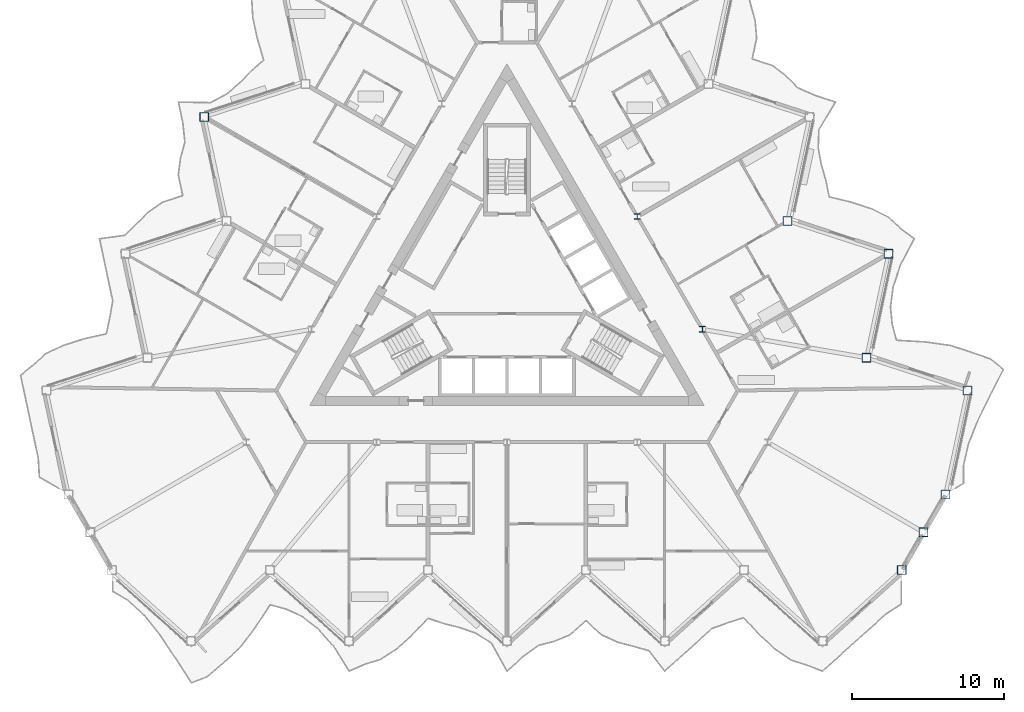
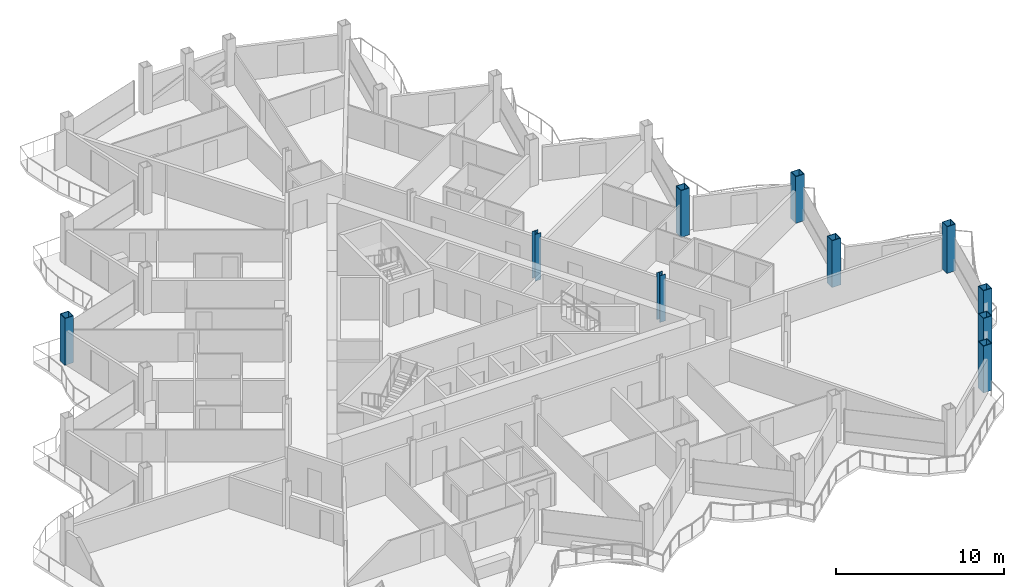
# One storey, part 2 of 26: 10 columns.
"""IFC4 building model written with IfcOpenShell, lengths in metres."""

import ifcopenshell
import ifcopenshell.guid

model = None  # the IFC model being written
_history = None  # IfcOwnerHistory: only IFC2X3 demands one
_inside = {}  # id of a spatial element -> (the spatial element, [elements in it])
_under = {}  # id of a project, library or spatial element -> (it, [spatial elements below it])
_declared = {}  # id of a project -> (the project, [libraries it declares])
_typed = {}  # id of a type object -> (the type object, [elements of that type])
_made_of = {}  # id of a material, layer set ... -> (it, [elements and type objects made of it])


def new_model(schema):
    """Start an empty IFC model of exactly this schema.

    Asked for "IFC4X3", IfcOpenShell would pick the latest addendum, in which some entities
    have other attributes; the version numbers below select the first issue.
    IFC2X3 requires an IfcOwnerHistory on every rooted entity: one is made here for all.
    """
    global model, _history
    if schema == "IFC4X3":
        model = ifcopenshell.file(schema_version=(4, 3, 0, 0))
    else:
        model = ifcopenshell.file(schema=schema)
    _inside.clear()
    _under.clear()
    _declared.clear()
    _typed.clear()
    _made_of.clear()
    _history = None
    if model.schema == "IFC2X3":
        org = make("IfcOrganization", Name="unknown")
        user = make(
            "IfcPersonAndOrganization",
            ThePerson=make("IfcPerson", FamilyName="unknown"),
            TheOrganization=org,
        )
        app = make(
            "IfcApplication",
            ApplicationDeveloper=org,
            Version="unknown",
            ApplicationFullName="unknown",
            ApplicationIdentifier="unknown",
        )
        _history = make(
            "IfcOwnerHistory",
            OwningUser=user,
            OwningApplication=app,
            ChangeAction="ADDED",
            CreationDate=0,
        )
    return model


def make(cls, **values):
    """One entity of the class cls with the attributes given. An attribute that is None is left unset."""
    return model.create_entity(
        cls, **{name: value for name, value in values.items() if value is not None}
    )


def rooted(cls, **values):
    """An entity with a GlobalId (a new one), such as an element, a storey or a relation."""
    return make(cls, GlobalId=ifcopenshell.guid.new(), OwnerHistory=_history, **values)


def si_unit(unit_type, name, prefix=None):
    """IfcSIUnit, for example si_unit("LENGTHUNIT", "METRE", prefix="MILLI")."""
    return make("IfcSIUnit", UnitType=unit_type, Prefix=prefix, Name=name)


def assignment(units):
    """IfcUnitAssignment: the units of a project."""
    return None if units is None else make("IfcUnitAssignment", Units=units)


def point(xyz):
    """IfcCartesianPoint."""
    return None if xyz is None else make("IfcCartesianPoint", Coordinates=xyz)


def direction(xyz):
    """IfcDirection."""
    return None if xyz is None else make("IfcDirection", DirectionRatios=xyz)


def frame(location, z_axis=None, x_axis=None):
    """IfcAxis2Placement3D, a coordinate frame: its origin and axes. An axis left out is left unset."""
    return make(
        "IfcAxis2Placement3D",
        Location=point(location),
        Axis=direction(z_axis),
        RefDirection=direction(x_axis),
    )


def frame_2d(location, x_axis=None):
    """IfcAxis2Placement2D, a coordinate frame in the plane: its origin and x axis."""
    return make(
        "IfcAxis2Placement2D", Location=point(location), RefDirection=direction(x_axis)
    )


def origin():
    """The frame at (0, 0, 0) with its axes left unset."""
    return frame((0.0, 0.0, 0.0))


def origin_2d():
    """The frame at (0, 0) in the plane with its x axis left unset."""
    return frame_2d((0.0, 0.0))


def place(relative_to, where):
    """IfcLocalPlacement: puts the frame where relative to a parent placement (None: the world)."""
    return make(
        "IfcLocalPlacement", PlacementRelTo=relative_to, RelativePlacement=where
    )


def context(
    kind, dimensions, precision=None, world=None, true_north=None, identifier=None
):
    """IfcGeometricRepresentationContext, for example the 3D "Model" context."""
    return make(
        "IfcGeometricRepresentationContext",
        ContextIdentifier=identifier,
        ContextType=kind,
        CoordinateSpaceDimension=dimensions,
        Precision=precision,
        WorldCoordinateSystem=world,
        TrueNorth=true_north,
    )


def subcontext(parent, identifier, kind, view, scale=None):
    """IfcGeometricRepresentationSubContext, for example "Body" below "Model"."""
    return make(
        "IfcGeometricRepresentationSubContext",
        ContextIdentifier=identifier,
        ContextType=kind,
        ParentContext=parent,
        TargetScale=scale,
        TargetView=view,
    )


def project(units=None, contexts=None):
    """IfcProject with its units and contexts."""
    return rooted(
        "IfcProject",
        Name="project",
        RepresentationContexts=contexts,
        UnitsInContext=assignment(units),
    )


def spatial(cls, under=None, at=None, **own):
    """A site, building, storey or space (cls), placed at a placement, below another one or the project."""
    s = rooted(cls, ObjectPlacement=at, **own)
    if under is not None:
        _under.setdefault(under.id(), (under, []))[1].append(s)
    return s


def profile(cls, at=None, kind="AREA", **sizes):
    """A parametric profile (cls). Its sizes go by their IFC names, for example OverallWidth=200.0."""
    return make(cls, ProfileType=kind, Position=at, **sizes)


def hollow_rectangle(**sizes):
    """IfcRectangleHollowProfileDef."""
    return profile("IfcRectangleHollowProfileDef", **sizes)


def i_section(**sizes):
    """IfcIShapeProfileDef."""
    return profile("IfcIShapeProfileDef", **sizes)


def extrude(swept, where, along, depth):
    """IfcExtrudedAreaSolid: the profile swept, set in the frame where, extruded along a direction by depth."""
    return make(
        "IfcExtrudedAreaSolid",
        SweptArea=swept,
        Position=where,
        ExtrudedDirection=direction(along),
        Depth=depth,
    )


def shape(context_of_items, identifier, shape_type, items):
    """IfcShapeRepresentation: the items that make up one representation, for example the "Body"."""
    return make(
        "IfcShapeRepresentation",
        ContextOfItems=context_of_items,
        RepresentationIdentifier=identifier,
        RepresentationType=shape_type,
        Items=items,
    )


def material(Name=None, Category=None):
    """IfcMaterial."""
    return make("IfcMaterial", Name=Name, Category=Category)


def material_profile(
    of_material, cross_section, Name=None, Category=None, Priority=None
):
    """IfcMaterialProfile: a cross section and its material."""
    return make(
        "IfcMaterialProfile",
        Name=Name,
        Material=of_material,
        Profile=cross_section,
        Priority=Priority,
        Category=Category,
    )


def profile_set(profiles, Name=None, composite=None):
    """IfcMaterialProfileSet."""
    return make(
        "IfcMaterialProfileSet",
        Name=Name,
        MaterialProfiles=profiles,
        CompositeProfile=composite,
    )


def made_of(thing, what):
    """Note that an element or type object is made of a material, layer set ...; save() writes the relation."""
    if what is not None:
        _made_of.setdefault(what.id(), (what, []))[1].append(thing)
    return thing


def type_object(cls, material=None, **own):
    """A type object (cls), such as IfcWallType, which elements share."""
    return made_of(rooted(cls, **own), material)


def element(
    cls,
    number,
    at=None,
    inside=None,
    cuts=None,
    type_object=None,
    material=None,
    context=None,
    identifier="Body",
    shape_type=None,
    held_by="IfcProductDefinitionShape",
    body=None,
    shapes=None,
    **own,
):
    """One element of the class cls, such as IfcWall. Its Tag is "e" and its number.

    at: its placement. inside: the storey or other place that contains it. cuts: it is an
    opening in that element (IfcRelVoidsElement). A single representation is given by context,
    identifier, shape_type and body (its items); several are given by shapes. held_by: the class
    of the entity that holds the representations. save() writes the other relations.
    """
    e = rooted(cls, Tag="e%d" % number, ObjectPlacement=at, **own)
    if body is not None:
        shapes = [shape(context, identifier, shape_type, body)]
    if shapes is not None:
        e.Representation = make(held_by, Representations=shapes)
    if inside is not None:
        _inside.setdefault(inside.id(), (inside, []))[1].append(e)
    if cuts is not None:
        rooted(
            "IfcRelVoidsElement", RelatingBuildingElement=cuts, RelatedOpeningElement=e
        )
    if type_object is not None:
        _typed.setdefault(type_object.id(), (type_object, []))[1].append(e)
    return made_of(e, material)


def aggregate(whole, parts):
    """IfcRelAggregates: a whole, such as a stair, and the parts it consists of."""
    return rooted("IfcRelAggregates", RelatingObject=whole, RelatedObjects=parts)


def save(model, path):
    """Write the relations noted so far, then the file.

    IfcRelAggregates (storeys below a building ...), IfcRelContainedInSpatialStructure (elements
    in a storey), IfcRelDefinesByType, IfcRelAssociatesMaterial and IfcRelDeclares: one each for
    every whole, place, type object, material and project.
    """
    for whole, parts in _under.values():
        aggregate(whole, parts)
    for where, things in _inside.values():
        rooted(
            "IfcRelContainedInSpatialStructure",
            RelatedElements=things,
            RelatingStructure=where,
        )
    for kind, things in _typed.values():
        rooted("IfcRelDefinesByType", RelatedObjects=things, RelatingType=kind)
    for what, things in _made_of.values():
        rooted("IfcRelAssociatesMaterial", RelatedObjects=things, RelatingMaterial=what)
    for by, libraries in _declared.values():
        rooted("IfcRelDeclares", RelatingContext=by, RelatedDefinitions=libraries)
    model.write(path)


model = new_model("IFC4")

# Units and contexts
model_context = context("Model", 3, precision=1e-05, world=origin(), true_north=direction((0.0, 1.0)))
body_context = subcontext(model_context, "Body", "Model", "MODEL_VIEW")
ifc_project = project(units=[si_unit("LENGTHUNIT", "METRE"), si_unit("AREAUNIT", "SQUARE_METRE"), si_unit("VOLUMEUNIT", "CUBIC_METRE"), si_unit("PLANEANGLEUNIT", "RADIAN"), si_unit("MASSUNIT", "GRAM", prefix="KILO")], contexts=[model_context])

# Site, building, storey
site_placement = place(None, origin())
site = spatial("IfcSite", under=ifc_project, at=site_placement, CompositionType="ELEMENT")
building_placement = place(site_placement, origin())
building = spatial("IfcBuilding", under=site, at=building_placement, Name="Cormorant Prow Tower", CompositionType="ELEMENT")
storey_placement = place(building_placement, frame((0.0, 0.0, 329.0)))
storey = spatial("IfcBuildingStorey", under=building, at=storey_placement, Name="L73", CompositionType="ELEMENT", Elevation=329.0)

# Columns
ifc_material_1 = material(Name="Structural steel ASTM A572 Gr 50", Category="steel")
ifc_material_profile_1 = material_profile(ifc_material_1, hollow_rectangle(XDim=0.60009765625, YDim=0.60009765625, WallThickness=0.0400390625, at=origin_2d()), Name="Box 600x600x40")
ifc_profile_set_1 = profile_set([ifc_material_profile_1], Name="Structural steel ASTM A572 Gr 50")
column_type_1 = type_object("IfcColumnType", Name="Perimeter box column 600x600x40", PredefinedType="COLUMN", material=ifc_profile_set_1)
for number, where, z_axis, x_axis, name in (
    (1, (25.995361328125, -18.326904296875, 0.0), (0.0, 0.0, 1.0), (1.0, 0.0, 0.0), "Perimeter column C6 at ESE00 L73"),
    (2, (27.432373046875, -15.838134765625, 0.0), (0.0, 0.0, 1.0), (1.0, 0.0, 0.0), "Perimeter column C6 at ESE01 L73"),
    (3, (28.869140625, -13.349365234375, 0.0), (0.0, 0.0, 1.0), (1.0, 0.0, 0.0), "Perimeter column C6 at ENE00 L73"),
    (4, (30.32373046875, -6.506103515625, 0.0), (0.0, 0.0, 1.0), (1.0, 0.0, 0.0), "Perimeter column C6 at ENE01 L73"),
    (5, (23.670166015625, -4.34423828125, 0.0), (0.0, 0.0, 1.0), (1.0, 0.0, 0.0), "Perimeter column C6 at ENE02 L73"),
    (6, (25.124755859375, 2.4990234375, 0.0), (0.0, 0.0, 1.0), (1.0, 0.0, 0.0), "Perimeter column C6 at ENE03 L73"),
    (7, (18.470947265625, 4.660888671875, 0.0), (0.0, 0.0, 1.0), (1.0, 0.0, 0.0), "Perimeter column C6 at ENE04 L73"),
    (8, (-19.925537109375, 11.504150390625, 0.0), (0.0, 0.0, 1.0), (1.0, 0.0, 0.0), "Perimeter column C6 at WNW05 L73"),
):
    element("IfcColumn", number, at=place(storey_placement, frame(where, z_axis=z_axis, x_axis=x_axis)), inside=storey, type_object=column_type_1, Name=name, PredefinedType="COLUMN", context=body_context, shape_type="SweptSolid", body=[
        extrude(hollow_rectangle(XDim=0.60009765625, YDim=0.60009765625, WallThickness=0.0400390625, at=origin_2d()), origin(), (0.0, 0.0, 1.0), 3.39990234375),
    ])
ifc_material_2 = material(Name="Structural steel ASTM A992 Gr 50", Category="steel")
ifc_material_profile_2 = material_profile(ifc_material_2, i_section(OverallWidth=0.3955078125, OverallDepth=0.380615234375, WebThickness=0.018798828125, FlangeThickness=0.0302734375, at=origin_2d()), Name="W14x159")
ifc_profile_set_2 = profile_set([ifc_material_profile_2], Name="Structural steel ASTM A992 Gr 50")
column_type_2 = type_object("IfcColumnType", Name="Ring column W14x159", PredefinedType="COLUMN", material=ifc_profile_set_2)
for number, where, z_axis, x_axis, name in (
    (9, (12.86767578125, -2.476318359375, 0.0), (0.0, 0.0, 1.0), (1.0, 0.0, 0.0), "Ring column 10 L73"),
    (10, (8.578369140625, 4.952880859375, 0.0), (0.0, 0.0, 1.0), (1.0, 0.0, 0.0), "Ring column 11 L73"),
):
    element("IfcColumn", number, at=place(storey_placement, frame(where, z_axis=z_axis, x_axis=x_axis)), inside=storey, type_object=column_type_2, Name=name, PredefinedType="COLUMN", context=body_context, shape_type="SweptSolid", body=[
        extrude(i_section(OverallWidth=0.3955078125, OverallDepth=0.380615234375, WebThickness=0.018798828125, FlangeThickness=0.0302734375, at=origin_2d()), origin(), (0.0, 0.0, 1.0), 3.39990234375),
    ])

save(model, "model.ifc")
